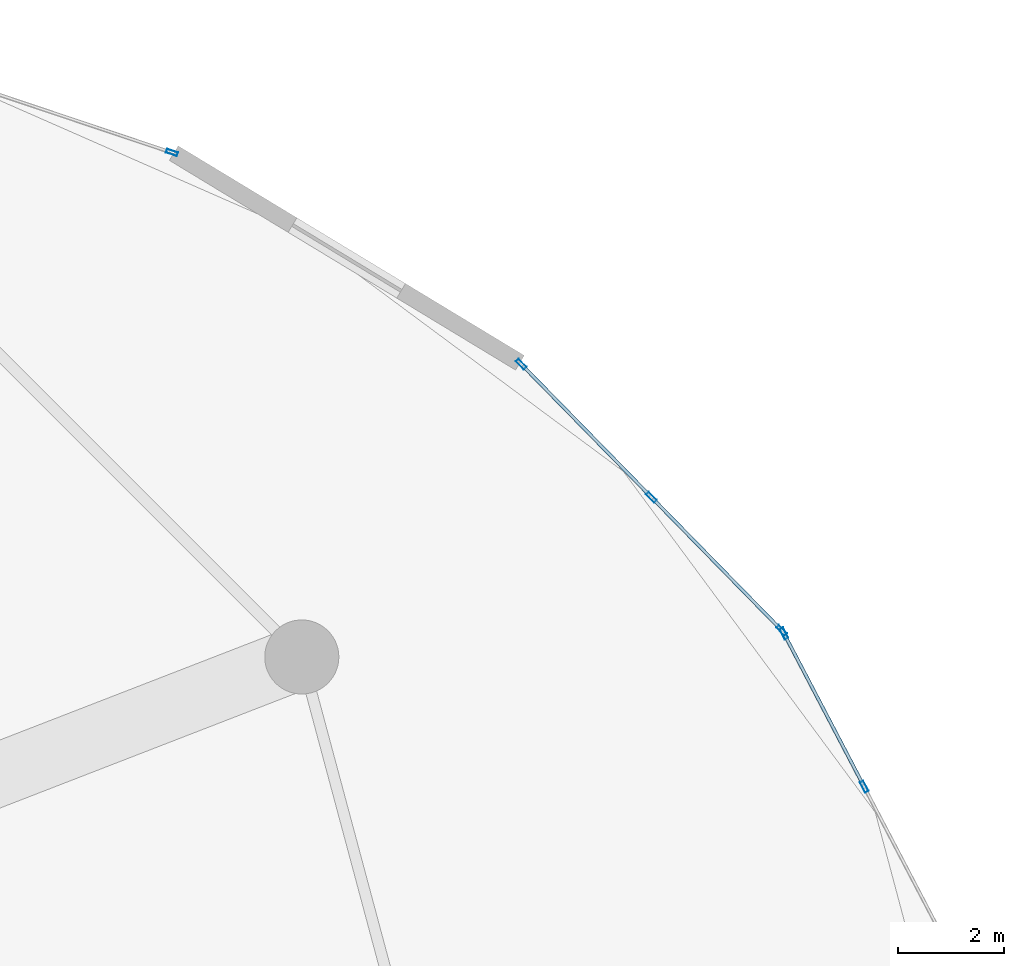
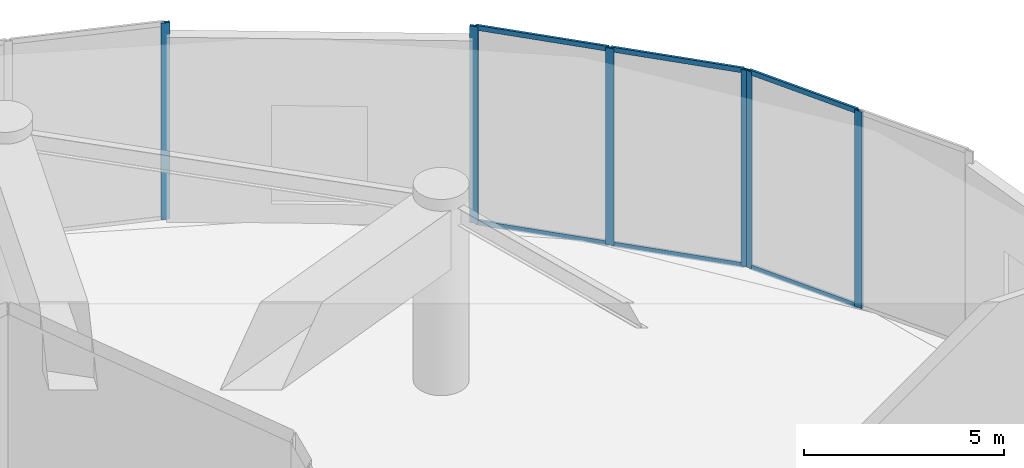
# One storey, part 19 of 28: 12 members, 3 elements without a shape of their own.
"""IFC4 building model written with IfcOpenShell, lengths in metres."""

import ifcopenshell
import ifcopenshell.guid

model = None  # the IFC model being written
_history = None  # IfcOwnerHistory: only IFC2X3 demands one
_inside = {}  # id of a spatial element -> (the spatial element, [elements in it])
_under = {}  # id of a project, library or spatial element -> (it, [spatial elements below it])
_declared = {}  # id of a project -> (the project, [libraries it declares])
_typed = {}  # id of a type object -> (the type object, [elements of that type])
_made_of = {}  # id of a material, layer set ... -> (it, [elements and type objects made of it])


def new_model(schema):
    """Start an empty IFC model of exactly this schema.

    Asked for "IFC4X3", IfcOpenShell would pick the latest addendum, in which some entities
    have other attributes; the version numbers below select the first issue.
    IFC2X3 requires an IfcOwnerHistory on every rooted entity: one is made here for all.
    """
    global model, _history
    if schema == "IFC4X3":
        model = ifcopenshell.file(schema_version=(4, 3, 0, 0))
    else:
        model = ifcopenshell.file(schema=schema)
    _inside.clear()
    _under.clear()
    _declared.clear()
    _typed.clear()
    _made_of.clear()
    _history = None
    if model.schema == "IFC2X3":
        org = make("IfcOrganization", Name="unknown")
        user = make(
            "IfcPersonAndOrganization",
            ThePerson=make("IfcPerson", FamilyName="unknown"),
            TheOrganization=org,
        )
        app = make(
            "IfcApplication",
            ApplicationDeveloper=org,
            Version="unknown",
            ApplicationFullName="unknown",
            ApplicationIdentifier="unknown",
        )
        _history = make(
            "IfcOwnerHistory",
            OwningUser=user,
            OwningApplication=app,
            ChangeAction="ADDED",
            CreationDate=0,
        )
    return model


def make(cls, **values):
    """One entity of the class cls with the attributes given. An attribute that is None is left unset."""
    return model.create_entity(
        cls, **{name: value for name, value in values.items() if value is not None}
    )


def rooted(cls, **values):
    """An entity with a GlobalId (a new one), such as an element, a storey or a relation."""
    return make(cls, GlobalId=ifcopenshell.guid.new(), OwnerHistory=_history, **values)


def si_unit(unit_type, name, prefix=None):
    """IfcSIUnit, for example si_unit("LENGTHUNIT", "METRE", prefix="MILLI")."""
    return make("IfcSIUnit", UnitType=unit_type, Prefix=prefix, Name=name)


def assignment(units):
    """IfcUnitAssignment: the units of a project."""
    return None if units is None else make("IfcUnitAssignment", Units=units)


def point(xyz):
    """IfcCartesianPoint."""
    return None if xyz is None else make("IfcCartesianPoint", Coordinates=xyz)


def direction(xyz):
    """IfcDirection."""
    return None if xyz is None else make("IfcDirection", DirectionRatios=xyz)


def frame(location, z_axis=None, x_axis=None):
    """IfcAxis2Placement3D, a coordinate frame: its origin and axes. An axis left out is left unset."""
    return make(
        "IfcAxis2Placement3D",
        Location=point(location),
        Axis=direction(z_axis),
        RefDirection=direction(x_axis),
    )


def frame_2d(location, x_axis=None):
    """IfcAxis2Placement2D, a coordinate frame in the plane: its origin and x axis."""
    return make(
        "IfcAxis2Placement2D", Location=point(location), RefDirection=direction(x_axis)
    )


def origin():
    """The frame at (0, 0, 0) with its axes left unset."""
    return frame((0.0, 0.0, 0.0))


def origin_2d():
    """The frame at (0, 0) in the plane with its x axis left unset."""
    return frame_2d((0.0, 0.0))


def place(relative_to, where):
    """IfcLocalPlacement: puts the frame where relative to a parent placement (None: the world)."""
    return make(
        "IfcLocalPlacement", PlacementRelTo=relative_to, RelativePlacement=where
    )


def context(
    kind, dimensions, precision=None, world=None, true_north=None, identifier=None
):
    """IfcGeometricRepresentationContext, for example the 3D "Model" context."""
    return make(
        "IfcGeometricRepresentationContext",
        ContextIdentifier=identifier,
        ContextType=kind,
        CoordinateSpaceDimension=dimensions,
        Precision=precision,
        WorldCoordinateSystem=world,
        TrueNorth=true_north,
    )


def subcontext(parent, identifier, kind, view, scale=None):
    """IfcGeometricRepresentationSubContext, for example "Body" below "Model"."""
    return make(
        "IfcGeometricRepresentationSubContext",
        ContextIdentifier=identifier,
        ContextType=kind,
        ParentContext=parent,
        TargetScale=scale,
        TargetView=view,
    )


def project(units=None, contexts=None):
    """IfcProject with its units and contexts."""
    return rooted(
        "IfcProject",
        Name="project",
        RepresentationContexts=contexts,
        UnitsInContext=assignment(units),
    )


def spatial(cls, under=None, at=None, **own):
    """A site, building, storey or space (cls), placed at a placement, below another one or the project."""
    s = rooted(cls, ObjectPlacement=at, **own)
    if under is not None:
        _under.setdefault(under.id(), (under, []))[1].append(s)
    return s


def profile(cls, at=None, kind="AREA", **sizes):
    """A parametric profile (cls). Its sizes go by their IFC names, for example OverallWidth=200.0."""
    return make(cls, ProfileType=kind, Position=at, **sizes)


def hollow_rectangle(**sizes):
    """IfcRectangleHollowProfileDef."""
    return profile("IfcRectangleHollowProfileDef", **sizes)


def extrude(swept, where, along, depth):
    """IfcExtrudedAreaSolid: the profile swept, set in the frame where, extruded along a direction by depth."""
    return make(
        "IfcExtrudedAreaSolid",
        SweptArea=swept,
        Position=where,
        ExtrudedDirection=direction(along),
        Depth=depth,
    )


def shape(context_of_items, identifier, shape_type, items):
    """IfcShapeRepresentation: the items that make up one representation, for example the "Body"."""
    return make(
        "IfcShapeRepresentation",
        ContextOfItems=context_of_items,
        RepresentationIdentifier=identifier,
        RepresentationType=shape_type,
        Items=items,
    )


def source(mapping_origin, context_of_items, identifier, shape_type, items):
    """IfcRepresentationMap: a shape defined once, which mapped items show again and again."""
    return make(
        "IfcRepresentationMap",
        MappingOrigin=mapping_origin,
        MappedRepresentation=shape(context_of_items, identifier, shape_type, items),
    )


def transform(
    local_origin,
    x_axis=None,
    y_axis=None,
    z_axis=None,
    scale=None,
    scale2=None,
    scale3=None,
    uniform=True,
):
    """IfcCartesianTransformationOperator3D, or its non-uniform kind. x_axis, y_axis, z_axis: its Axis1, 2, 3."""
    if uniform:
        return make(
            "IfcCartesianTransformationOperator3D",
            Axis1=direction(x_axis),
            Axis2=direction(y_axis),
            LocalOrigin=point(local_origin),
            Scale=scale,
            Axis3=direction(z_axis),
        )
    return make(
        "IfcCartesianTransformationOperator3DnonUniform",
        Axis1=direction(x_axis),
        Axis2=direction(y_axis),
        LocalOrigin=point(local_origin),
        Scale=scale,
        Axis3=direction(z_axis),
        Scale2=scale2,
        Scale3=scale3,
    )


def mapped(mapping_source, mapping_target):
    """IfcMappedItem: shows the shape of a source again, moved by a transform."""
    return make(
        "IfcMappedItem", MappingSource=mapping_source, MappingTarget=mapping_target
    )


def material(Name=None, Category=None):
    """IfcMaterial."""
    return make("IfcMaterial", Name=Name, Category=Category)


def layer(
    of_material, thickness, ventilated=None, Name=None, Category=None, Priority=None
):
    """IfcMaterialLayer: one layer of a wall or slab, of a material (None: an air gap)."""
    return make(
        "IfcMaterialLayer",
        Material=of_material,
        LayerThickness=thickness,
        IsVentilated=ventilated,
        Name=Name,
        Category=Category,
        Priority=Priority,
    )


def layer_set(layers, Name=None):
    """IfcMaterialLayerSet."""
    return make("IfcMaterialLayerSet", MaterialLayers=layers, LayerSetName=Name)


def material_profile(
    of_material, cross_section, Name=None, Category=None, Priority=None
):
    """IfcMaterialProfile: a cross section and its material."""
    return make(
        "IfcMaterialProfile",
        Name=Name,
        Material=of_material,
        Profile=cross_section,
        Priority=Priority,
        Category=Category,
    )


def profile_set(profiles, Name=None, composite=None):
    """IfcMaterialProfileSet."""
    return make(
        "IfcMaterialProfileSet",
        Name=Name,
        MaterialProfiles=profiles,
        CompositeProfile=composite,
    )


def made_of(thing, what):
    """Note that an element or type object is made of a material, layer set ...; save() writes the relation."""
    if what is not None:
        _made_of.setdefault(what.id(), (what, []))[1].append(thing)
    return thing


def type_object(cls, material=None, **own):
    """A type object (cls), such as IfcWallType, which elements share."""
    return made_of(rooted(cls, **own), material)


def element(
    cls,
    number,
    at=None,
    inside=None,
    cuts=None,
    type_object=None,
    material=None,
    context=None,
    identifier="Body",
    shape_type=None,
    held_by="IfcProductDefinitionShape",
    body=None,
    shapes=None,
    **own,
):
    """One element of the class cls, such as IfcWall. Its Tag is "e" and its number.

    at: its placement. inside: the storey or other place that contains it. cuts: it is an
    opening in that element (IfcRelVoidsElement). A single representation is given by context,
    identifier, shape_type and body (its items); several are given by shapes. held_by: the class
    of the entity that holds the representations. save() writes the other relations.
    """
    e = rooted(cls, Tag="e%d" % number, ObjectPlacement=at, **own)
    if body is not None:
        shapes = [shape(context, identifier, shape_type, body)]
    if shapes is not None:
        e.Representation = make(held_by, Representations=shapes)
    if inside is not None:
        _inside.setdefault(inside.id(), (inside, []))[1].append(e)
    if cuts is not None:
        rooted(
            "IfcRelVoidsElement", RelatingBuildingElement=cuts, RelatedOpeningElement=e
        )
    if type_object is not None:
        _typed.setdefault(type_object.id(), (type_object, []))[1].append(e)
    return made_of(e, material)


def aggregate(whole, parts):
    """IfcRelAggregates: a whole, such as a stair, and the parts it consists of."""
    return rooted("IfcRelAggregates", RelatingObject=whole, RelatedObjects=parts)


def save(model, path):
    """Write the relations noted so far, then the file.

    IfcRelAggregates (storeys below a building ...), IfcRelContainedInSpatialStructure (elements
    in a storey), IfcRelDefinesByType, IfcRelAssociatesMaterial and IfcRelDeclares: one each for
    every whole, place, type object, material and project.
    """
    for whole, parts in _under.values():
        aggregate(whole, parts)
    for where, things in _inside.values():
        rooted(
            "IfcRelContainedInSpatialStructure",
            RelatedElements=things,
            RelatingStructure=where,
        )
    for kind, things in _typed.values():
        rooted("IfcRelDefinesByType", RelatedObjects=things, RelatingType=kind)
    for what, things in _made_of.values():
        rooted("IfcRelAssociatesMaterial", RelatedObjects=things, RelatingMaterial=what)
    for by, libraries in _declared.values():
        rooted("IfcRelDeclares", RelatingContext=by, RelatedDefinitions=libraries)
    model.write(path)


model = new_model("IFC4")

# Units and contexts
model_context = context("Model", 3, precision=1e-05, world=origin(), true_north=direction((0.0, 1.0)))
body_context = subcontext(model_context, "Body", "Model", "MODEL_VIEW")
ifc_project = project(units=[si_unit("LENGTHUNIT", "METRE"), si_unit("AREAUNIT", "SQUARE_METRE"), si_unit("VOLUMEUNIT", "CUBIC_METRE"), si_unit("PLANEANGLEUNIT", "RADIAN"), si_unit("MASSUNIT", "GRAM", prefix="KILO")], contexts=[model_context])

# Site, building, storey
site_placement = place(None, origin())
site = spatial("IfcSite", under=ifc_project, at=site_placement, CompositionType="ELEMENT")
building_placement = place(site_placement, origin())
building = spatial("IfcBuilding", under=site, at=building_placement, Name="Solvirekh Grand Hotel", CompositionType="ELEMENT")
storey_placement = place(building_placement, frame((0.0, 0.0, 12.60009765625)))
storey = spatial("IfcBuildingStorey", under=building, at=storey_placement, Name="L02", CompositionType="ELEMENT", Elevation=12.60009765625)

# Curtain wall, members
ifc_material = material(Name="Anodized Bronze Aluminium 6063-T6", Category="aluminium")
ifc_layer = layer(ifc_material, 0.219970703125)
ifc_layer_set = layer_set([ifc_layer], Name="Anodized Bronze Aluminium 6063-T6")
curtain_wall_type = type_object("IfcCurtainWallType", Name="CW_Sys1_PodiumBronzeUnitised", PredefinedType="NOTDEFINED", material=ifc_layer_set)
curtain_wall_1_placement = place(storey_placement, origin())
curtain_wall_1 = element("IfcCurtainWall", 1, at=curtain_wall_1_placement, inside=storey, type_object=curtain_wall_type, Name="L02 unitised bronze-glass curtain wall CW-L02-C02", PredefinedType="NOTDEFINED")
ifc_material_profile_1 = material_profile(ifc_material, hollow_rectangle(XDim=0.06494140625, YDim=0.14990234375, WallThickness=0.0048828125, at=origin_2d()), Name="ALU RHS 150X65X5")
ifc_profile_set_1 = profile_set([ifc_material_profile_1], Name="Anodized Bronze Aluminium 6063-T6")
member_type_1 = type_object("IfcMemberType", Name="CWTransom_Sys1", PredefinedType="USERDEFINED", material=ifc_profile_set_1)
shared_shape_1 = source(origin(), body_context, "Body", "SweptSolid", [
    extrude(hollow_rectangle(XDim=0.06494140625, YDim=0.14990234375, WallThickness=0.0048828125, at=origin_2d()), origin(), (0.0, 0.0, 1.0), 3.193603515625),
])
member_1_placement = place(storey_placement, frame((29.489990234375, 8.482177734375, 0.032470703125), z_axis=(-0.463801310978, 0.88593924393, 0.0), x_axis=(-0.88593924393, -0.463801310978, 0.0)))
member_1 = element("IfcMember", 2, at=member_1_placement, type_object=member_type_1, Name="U01 transom 2.1", ObjectType="TRANSOM", PredefinedType="USERDEFINED", context=body_context, shape_type="MappedRepresentation", body=[
    mapped(shared_shape_1, transform((0.0, 0.0, 0.0), x_axis=(1.0, 0.0, 0.0), y_axis=(0.0, 1.0, 0.0), z_axis=(0.0, 0.0, 1.0), scale=1.0)),
])
member_2_placement = place(storey_placement, frame((29.489990234375, 8.482177734375, 5.96728515625), z_axis=(-0.463801310978, 0.88593924393, 0.0), x_axis=(-0.88593924393, -0.463801310978, 0.0)))
member_2 = element("IfcMember", 3, at=member_2_placement, type_object=member_type_1, Name="U01 transom 2.2", ObjectType="TRANSOM", PredefinedType="USERDEFINED", context=body_context, shape_type="MappedRepresentation", body=[
    mapped(shared_shape_1, transform((0.0, 0.0, 0.0), x_axis=(1.0, 0.0, 0.0), y_axis=(0.0, 1.0, 0.0), z_axis=(0.0, 0.0, 1.0), scale=1.0)),
])

curtain_wall_2_placement = place(storey_placement, origin())
curtain_wall_2 = element("IfcCurtainWall", 4, at=curtain_wall_2_placement, inside=storey, type_object=curtain_wall_type, Name="L02 unitised bronze-glass curtain wall CW-L02-C03", PredefinedType="NOTDEFINED")
shared_shape_2 = source(origin(), body_context, "Body", "SweptSolid", [
    extrude(hollow_rectangle(XDim=0.06494140625, YDim=0.14990234375, WallThickness=0.0048828125, at=origin_2d()), origin(), (0.0, 0.0, 1.0), 3.443115234375),
])
member_3_placement = place(storey_placement, frame((27.921630859375, 11.431640625, 0.032470703125), z_axis=(-0.699371344308, 0.714758506603, 0.0), x_axis=(-0.714758506603, -0.699371344308, 0.0)))
member_3 = element("IfcMember", 5, at=member_3_placement, type_object=member_type_1, Name="U01 transom 1.1", ObjectType="TRANSOM", PredefinedType="USERDEFINED", context=body_context, shape_type="MappedRepresentation", body=[
    mapped(shared_shape_2, transform((0.0, 0.0, 0.0), x_axis=(1.0, 0.0, 0.0), y_axis=(0.0, 1.0, 0.0), z_axis=(0.0, 0.0, 1.0), scale=1.0)),
])
member_4_placement = place(storey_placement, frame((27.921630859375, 11.431640625, 5.96728515625), z_axis=(-0.699371344308, 0.714758506603, 0.0), x_axis=(-0.714758506603, -0.699371344308, 0.0)))
member_4 = element("IfcMember", 6, at=member_4_placement, type_object=member_type_1, Name="U01 transom 1.2", ObjectType="TRANSOM", PredefinedType="USERDEFINED", context=body_context, shape_type="MappedRepresentation", body=[
    mapped(shared_shape_2, transform((0.0, 0.0, 0.0), x_axis=(1.0, 0.0, 0.0), y_axis=(0.0, 1.0, 0.0), z_axis=(0.0, 0.0, 1.0), scale=1.0)),
])
member_5_placement = place(storey_placement, frame((25.461181640625, 13.9462890625, 0.032470703125), z_axis=(-0.699299669217, 0.714828631654, 0.0), x_axis=(-0.714828631654, -0.699299669217, 0.0)))
member_5 = element("IfcMember", 7, at=member_5_placement, type_object=member_type_1, Name="U01 transom 2.1", ObjectType="TRANSOM", PredefinedType="USERDEFINED", context=body_context, shape_type="MappedRepresentation", body=[
    mapped(shared_shape_2, transform((0.0, 0.0, 0.0), x_axis=(1.0, 0.0, 0.0), y_axis=(0.0, 1.0, 0.0), z_axis=(0.0, 0.0, 1.0), scale=1.0)),
])
member_6_placement = place(storey_placement, frame((25.461181640625, 13.9462890625, 5.96728515625), z_axis=(-0.699299669217, 0.714828631654, 0.0), x_axis=(-0.714828631654, -0.699299669217, 0.0)))
member_6 = element("IfcMember", 8, at=member_6_placement, type_object=member_type_1, Name="U01 transom 2.2", ObjectType="TRANSOM", PredefinedType="USERDEFINED", context=body_context, shape_type="MappedRepresentation", body=[
    mapped(shared_shape_2, transform((0.0, 0.0, 0.0), x_axis=(1.0, 0.0, 0.0), y_axis=(0.0, 1.0, 0.0), z_axis=(0.0, 0.0, 1.0), scale=1.0)),
])

# Member
ifc_material_profile_2 = material_profile(ifc_material, hollow_rectangle(XDim=0.074951171875, YDim=0.219970703125, WallThickness=0.006103515625, at=origin_2d()), Name="ALU RHS 220X75X6")
ifc_profile_set_2 = profile_set([ifc_material_profile_2], Name="Anodized Bronze Aluminium 6063-T6")
member_type_2 = type_object("IfcMemberType", Name="CWMullion_Sys1", PredefinedType="MULLION", material=ifc_profile_set_2)
shared_shape_3 = source(origin(), body_context, "Body", "SweptSolid", [
    extrude(hollow_rectangle(XDim=0.074951171875, YDim=0.219970703125, WallThickness=0.006103515625, at=origin_2d()), origin(), (0.0, 0.0, 1.0), 6.0),
])
member_7_placement = place(storey_placement, frame((29.507568359375, 8.448974609375, 0.0), z_axis=(0.0, 0.0, 1.0), x_axis=(-0.885923280364, -0.463831802821, 0.0)))
member_7 = element("IfcMember", 9, at=member_7_placement, type_object=member_type_2, Name="U01 mullion 2", PredefinedType="MULLION", context=body_context, shape_type="MappedRepresentation", body=[
    mapped(shared_shape_3, transform((0.0, 0.0, 0.0), x_axis=(1.0, 0.0, 0.0), y_axis=(0.0, 1.0, 0.0), z_axis=(0.0, 0.0, 1.0), scale=1.0)),
])

member_8_placement = place(storey_placement, frame((27.991455078125, 11.3447265625, 0.0), z_axis=(0.0, 0.0, 1.0), x_axis=(-0.885923280364, -0.463831802821, 0.0)))
member_8 = element("IfcMember", 10, at=member_8_placement, type_object=member_type_2, Name="U01 mullion 3", PredefinedType="MULLION", context=body_context, shape_type="MappedRepresentation", body=[
    mapped(shared_shape_3, transform((0.0, 0.0, 0.0), x_axis=(1.0, 0.0, 0.0), y_axis=(0.0, 1.0, 0.0), z_axis=(0.0, 0.0, 1.0), scale=1.0)),
])

aggregate(curtain_wall_1, [member_7, member_8, member_1, member_2])

member_9_placement = place(storey_placement, frame((27.94775390625, 11.40478515625, 0.0), z_axis=(0.0, 0.0, 1.0), x_axis=(-0.714798876821, -0.699330083505, 0.0)))
member_9 = element("IfcMember", 11, at=member_9_placement, type_object=member_type_2, Name="U01 mullion 1", PredefinedType="MULLION", context=body_context, shape_type="MappedRepresentation", body=[
    mapped(shared_shape_3, transform((0.0, 0.0, 0.0), x_axis=(1.0, 0.0, 0.0), y_axis=(0.0, 1.0, 0.0), z_axis=(0.0, 0.0, 1.0), scale=1.0)),
])

member_10_placement = place(storey_placement, frame((25.487548828125, 13.91943359375, 0.0), z_axis=(0.0, 0.0, 1.0), x_axis=(-0.714798876821, -0.699330083505, 0.0)))
member_10 = element("IfcMember", 12, at=member_10_placement, type_object=member_type_2, Name="U01 mullion 2", PredefinedType="MULLION", context=body_context, shape_type="MappedRepresentation", body=[
    mapped(shared_shape_3, transform((0.0, 0.0, 0.0), x_axis=(1.0, 0.0, 0.0), y_axis=(0.0, 1.0, 0.0), z_axis=(0.0, 0.0, 1.0), scale=1.0)),
])

member_11_placement = place(storey_placement, frame((23.02734375, 16.43408203125, 0.0), z_axis=(0.0, 0.0, 1.0), x_axis=(-0.714798876821, -0.699330083505, 0.0)))
member_11 = element("IfcMember", 13, at=member_11_placement, type_object=member_type_2, Name="U01 mullion 3", PredefinedType="MULLION", context=body_context, shape_type="MappedRepresentation", body=[
    mapped(shared_shape_3, transform((0.0, 0.0, 0.0), x_axis=(1.0, 0.0, 0.0), y_axis=(0.0, 1.0, 0.0), z_axis=(0.0, 0.0, 1.0), scale=1.0)),
])

aggregate(curtain_wall_2, [member_9, member_10, member_11, member_3, member_4, member_5, member_6])

# Curtain wall, member
curtain_wall_3_placement = place(storey_placement, origin())
curtain_wall_3 = element("IfcCurtainWall", 14, at=curtain_wall_3_placement, inside=storey, type_object=curtain_wall_type, Name="L02 unitised bronze-glass curtain wall CW-L02-C05", PredefinedType="NOTDEFINED")
member_12_placement = place(storey_placement, frame((16.424560546875, 20.433837890625, 0.0), z_axis=(0.0, 0.0, 1.0), x_axis=(-0.317897817007, -0.948124980128, 0.0)))
member_12 = element("IfcMember", 15, at=member_12_placement, type_object=member_type_2, Name="U01 mullion 1", PredefinedType="MULLION", context=body_context, shape_type="MappedRepresentation", body=[
    mapped(shared_shape_3, transform((0.0, 0.0, 0.0), x_axis=(1.0, 0.0, 0.0), y_axis=(0.0, 1.0, 0.0), z_axis=(0.0, 0.0, 1.0), scale=1.0)),
])
aggregate(curtain_wall_3, [member_12])

save(model, "model.ifc")
